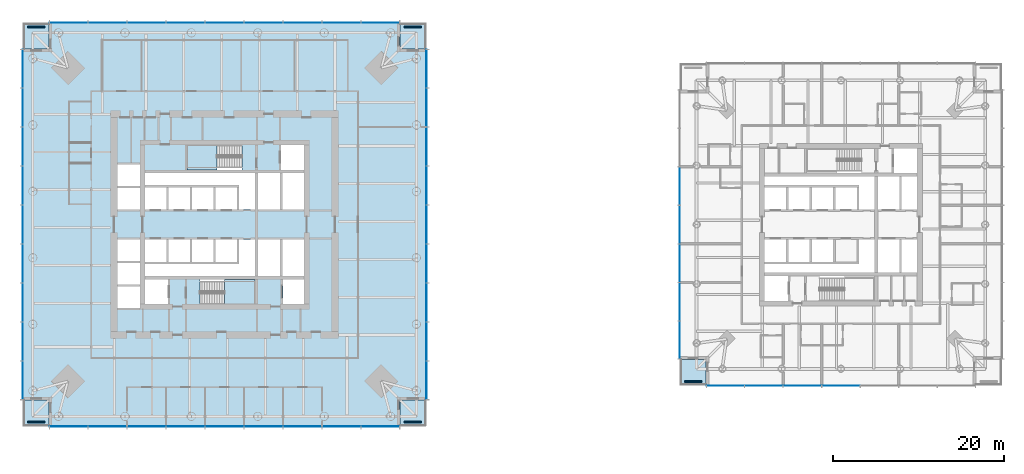
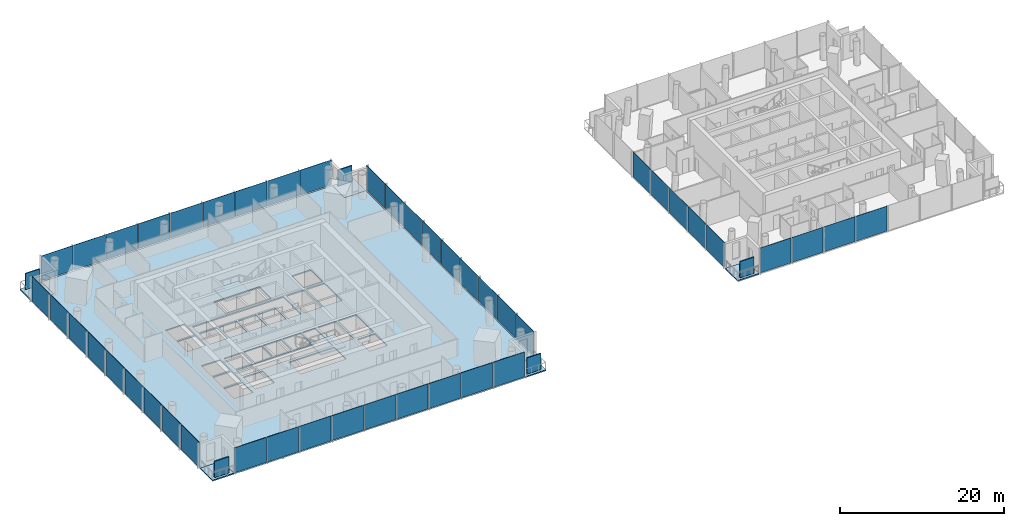
# One storey, part 6 of 18: 50 plates, 8 slabs, 8 elements without a shape of their own.
"""IFC4 building model written with IfcOpenShell, lengths in metres."""

from ifc_helpers import new_model, si_unit, direction, frame, origin, origin_2d, place, context, subcontext, project, spatial, polyline, rectangle, outline, extrude, material, layer, layer_set, type_object, element, aggregate, save


model = new_model("IFC4")

# Units and contexts
model_context = context("Model", 3, precision=1e-05, world=origin(), true_north=direction((0.0, 1.0)))
body_context = subcontext(model_context, "Body", "Model", "MODEL_VIEW")
ifc_project = project(units=[si_unit("LENGTHUNIT", "METRE"), si_unit("AREAUNIT", "SQUARE_METRE"), si_unit("VOLUMEUNIT", "CUBIC_METRE"), si_unit("PLANEANGLEUNIT", "RADIAN"), si_unit("MASSUNIT", "GRAM", prefix="KILO")], contexts=[model_context])

# Site, building, storey
site_placement = place(None, origin())
site = spatial("IfcSite", under=ifc_project, at=site_placement, CompositionType="ELEMENT")
building_placement = place(site_placement, origin())
building = spatial("IfcBuilding", under=site, at=building_placement, Name="Ostroluk Exchange", CompositionType="ELEMENT")
storey_placement = place(building_placement, frame((0.0, 0.0, 70.39990234375)))
storey = spatial("IfcBuildingStorey", under=building, at=storey_placement, Name="L17", CompositionType="ELEMENT", Elevation=70.39990234375)

# Curtain wall, plates
ifc_material_1 = material(Name="Laminated clear glass", Category="glass")
curtain_wall_type_1 = type_object("IfcCurtainWallType", Name="Hotel guest floor facade", PredefinedType="USERDEFINED", material=ifc_material_1)
curtain_wall_1_placement = place(storey_placement, origin())
curtain_wall_1 = element("IfcCurtainWall", 1, at=curtain_wall_1_placement, inside=storey, type_object=curtain_wall_type_1, Name="Hotel tower south facade L17", ObjectType="UNITISED CURTAIN WALL", PredefinedType="USERDEFINED")
ifc_material_2 = material(Name="Laminated clear glass", Category="glass")
ifc_layer_1 = layer(ifc_material_2, 0.0400390625)
ifc_layer_set_1 = layer_set([ifc_layer_1], Name="Acoustic laminated glazing 40")
plate_type_1 = type_object("IfcPlateType", Name="Acoustic laminated glazing 40", PredefinedType="CURTAIN_PANEL", material=ifc_layer_set_1)
plate_1_placement = place(storey_placement, frame((103.52001953125, 27.175048828125, 0.080078125), z_axis=(0.0, 0.0, 1.0), x_axis=(1.0, 0.0, 0.0)))
plate_1 = element("IfcPlate", 2, at=plate_1_placement, type_object=plate_type_1, Name="CW-H1 panel 1.1", PredefinedType="CURTAIN_PANEL", context=body_context, shape_type="SweptSolid", body=[
    extrude(rectangle(XDim=4.3798828125, YDim=0.0400390625, at=origin_2d()), origin(), (0.0, 0.0, 1.0), 3.719970703125),
])
plate_2_placement = place(storey_placement, frame((108.0, 27.175048828125, 0.080078125), z_axis=(0.0, 0.0, 1.0), x_axis=(1.0, 0.0, 0.0)))
plate_2 = element("IfcPlate", 3, at=plate_2_placement, type_object=plate_type_1, Name="CW-H1 panel 2.1", PredefinedType="CURTAIN_PANEL", context=body_context, shape_type="SweptSolid", body=[
    extrude(rectangle(XDim=4.419921875, YDim=0.0400390625, at=origin_2d()), origin(), (0.0, 0.0, 1.0), 3.719970703125),
])
plate_3_placement = place(storey_placement, frame((112.5, 27.175048828125, 0.080078125), z_axis=(0.0, 0.0, 1.0), x_axis=(1.0, 0.0, 0.0)))
plate_3 = element("IfcPlate", 4, at=plate_3_placement, type_object=plate_type_1, Name="CW-H1 panel 3.1", PredefinedType="CURTAIN_PANEL", context=body_context, shape_type="SweptSolid", body=[
    extrude(rectangle(XDim=4.419921875, YDim=0.0400390625, at=origin_2d()), origin(), (0.0, 0.0, 1.0), 3.719970703125),
])
plate_4_placement = place(storey_placement, frame((117.0, 27.175048828125, 0.080078125), z_axis=(0.0, 0.0, 1.0), x_axis=(1.0, 0.0, 0.0)))
plate_4 = element("IfcPlate", 5, at=plate_4_placement, type_object=plate_type_1, Name="CW-H1 panel 4.1", PredefinedType="CURTAIN_PANEL", context=body_context, shape_type="SweptSolid", body=[
    extrude(rectangle(XDim=4.419921875, YDim=0.0400390625, at=origin_2d()), origin(), (0.0, 0.0, 1.0), 3.719970703125),
])
aggregate(curtain_wall_1, [plate_1, plate_2, plate_3, plate_4])

curtain_wall_2_placement = place(storey_placement, origin())
curtain_wall_2 = element("IfcCurtainWall", 6, at=curtain_wall_2_placement, inside=storey, type_object=curtain_wall_type_1, Name="Hotel tower west facade L17", ObjectType="UNITISED CURTAIN WALL", PredefinedType="USERDEFINED")
plate_5_placement = place(storey_placement, frame((98.175048828125, 50.5, 0.080078125), z_axis=(0.0, 0.0, 1.0), x_axis=(0.0, -1.0, 0.0)))
plate_5 = element("IfcPlate", 7, at=plate_5_placement, type_object=plate_type_1, Name="CW-H1 panel 3.1", PredefinedType="CURTAIN_PANEL", context=body_context, shape_type="SweptSolid", body=[
    extrude(rectangle(XDim=4.419921875, YDim=0.0400390625, at=origin_2d()), origin(), (0.0, 0.0, 1.0), 3.719970703125),
])
plate_6_placement = place(storey_placement, frame((98.175048828125, 46.0, 0.080078125), z_axis=(0.0, 0.0, 1.0), x_axis=(0.0, -1.0, 0.0)))
plate_6 = element("IfcPlate", 8, at=plate_6_placement, type_object=plate_type_1, Name="CW-H1 panel 4.1", PredefinedType="CURTAIN_PANEL", context=body_context, shape_type="SweptSolid", body=[
    extrude(rectangle(XDim=4.419921875, YDim=0.0400390625, at=origin_2d()), origin(), (0.0, 0.0, 1.0), 3.719970703125),
])
plate_7_placement = place(storey_placement, frame((98.175048828125, 41.5, 0.080078125), z_axis=(0.0, 0.0, 1.0), x_axis=(0.0, -1.0, 0.0)))
plate_7 = element("IfcPlate", 9, at=plate_7_placement, type_object=plate_type_1, Name="CW-H1 panel 5.1", PredefinedType="CURTAIN_PANEL", context=body_context, shape_type="SweptSolid", body=[
    extrude(rectangle(XDim=4.419921875, YDim=0.0400390625, at=origin_2d()), origin(), (0.0, 0.0, 1.0), 3.719970703125),
])
plate_8_placement = place(storey_placement, frame((98.175048828125, 37.0, 0.080078125), z_axis=(0.0, 0.0, 1.0), x_axis=(0.0, -1.0, 0.0)))
plate_8 = element("IfcPlate", 10, at=plate_8_placement, type_object=plate_type_1, Name="CW-H1 panel 6.1", PredefinedType="CURTAIN_PANEL", context=body_context, shape_type="SweptSolid", body=[
    extrude(rectangle(XDim=4.419921875, YDim=0.0400390625, at=origin_2d()), origin(), (0.0, 0.0, 1.0), 3.719970703125),
])
plate_9_placement = place(storey_placement, frame((98.175048828125, 32.52001953125, 0.080078125), z_axis=(0.0, 0.0, 1.0), x_axis=(0.0, -1.0, 0.0)))
plate_9 = element("IfcPlate", 11, at=plate_9_placement, type_object=plate_type_1, Name="CW-H1 panel 7.1", PredefinedType="CURTAIN_PANEL", context=body_context, shape_type="SweptSolid", body=[
    extrude(rectangle(XDim=4.3798828125, YDim=0.0400390625, at=origin_2d()), origin(), (0.0, 0.0, 1.0), 3.719970703125),
])
aggregate(curtain_wall_2, [plate_5, plate_6, plate_7, plate_8, plate_9])

# Slabs
ifc_material_3 = material(Name="Concrete C35/45", Category="concrete")
ifc_layer_2 = layer(ifc_material_3, 0.179931640625)
ifc_layer_set_2 = layer_set([ifc_layer_2], Name="Balcony slab 180")
slab_type_1 = type_object("IfcSlabType", Name="Balcony slab 180", PredefinedType="USERDEFINED", material=ifc_layer_set_2)
slab_1_placement = place(storey_placement, frame((0.0, 0.0, -0.179931640625)))
element("IfcSlab", 12, at=slab_1_placement, inside=storey, type_object=slab_type_1, Name="Office tower SE corner balcony L17", ObjectType="BALCONY", PredefinedType="USERDEFINED", context=body_context, shape_type="SweptSolid", body=[
    extrude(outline(polyline([(65.5, 22.5), (68.5, 22.5), (68.5, 25.5), (65.5, 25.5), (65.5, 22.5)])), origin(), (0.0, 0.0, 1.0), 0.179931640625),
])
slab_2_placement = place(storey_placement, frame((0.0, 0.0, -0.179931640625)))
element("IfcSlab", 13, at=slab_2_placement, inside=storey, type_object=slab_type_1, Name="Office tower NE corner balcony L17", ObjectType="BALCONY", PredefinedType="USERDEFINED", context=body_context, shape_type="SweptSolid", body=[
    extrude(outline(polyline([(65.5, 66.5), (68.5, 66.5), (68.5, 69.5), (65.5, 69.5), (65.5, 66.5)])), origin(), (0.0, 0.0, 1.0), 0.179931640625),
])
slab_3_placement = place(storey_placement, frame((0.0, 0.0, -0.179931640625)))
element("IfcSlab", 14, at=slab_3_placement, inside=storey, type_object=slab_type_1, Name="Office tower NW corner balcony L17", ObjectType="BALCONY", PredefinedType="USERDEFINED", context=body_context, shape_type="SweptSolid", body=[
    extrude(outline(polyline([(21.5, 66.5), (24.5, 66.5), (24.5, 69.5), (21.5, 69.5), (21.5, 66.5)])), origin(), (0.0, 0.0, 1.0), 0.179931640625),
])
slab_4_placement = place(storey_placement, frame((0.0, 0.0, -0.179931640625)))
element("IfcSlab", 15, at=slab_4_placement, inside=storey, type_object=slab_type_1, Name="Office tower SW corner balcony L17", ObjectType="BALCONY", PredefinedType="USERDEFINED", context=body_context, shape_type="SweptSolid", body=[
    extrude(outline(polyline([(21.5, 22.5), (24.5, 22.5), (24.5, 25.5), (21.5, 25.5), (21.5, 22.5)])), origin(), (0.0, 0.0, 1.0), 0.179931640625),
])
ifc_material_4 = material(Name="Concrete C35/45", Category="concrete")
ifc_layer_3 = layer(ifc_material_4, 0.199951171875)
ifc_layer_set_3 = layer_set([ifc_layer_3], Name="Balcony slab 200")
slab_type_2 = type_object("IfcSlabType", Name="Balcony slab 200", PredefinedType="USERDEFINED", material=ifc_layer_set_3)
slab_5_placement = place(storey_placement, frame((0.0, 0.0, -0.199951171875)))
element("IfcSlab", 16, at=slab_5_placement, inside=storey, type_object=slab_type_2, Name="Hotel tower SW corner balcony L17", ObjectType="BALCONY", PredefinedType="USERDEFINED", context=body_context, shape_type="SweptSolid", body=[
    extrude(outline(polyline([(98.25, 27.25), (101.25, 27.25), (101.25, 30.25), (98.25, 30.25), (98.25, 27.25)])), origin(), (0.0, 0.0, 1.0), 0.199951171875),
])

# Plates
ifc_material_5 = material(Name="Steel S355 trellis with planting", Category="steel")
ifc_layer_4 = layer(ifc_material_5, 0.14990234375)
ifc_layer_set_4 = layer_set([ifc_layer_4], Name="Planted screen 150")
plate_type_2 = type_object("IfcPlateType", Name="Planted screen 150", PredefinedType="USERDEFINED", material=ifc_layer_set_4)
for number, where, z_axis, x_axis, name in (
    (17, (67.0, 22.925048828125, 0.000244140625), (0.0, 0.0, 1.0), (1.0, 0.0, 0.0), "Office tower SE planted screen L17"),
    (18, (67.0, 69.074951171875, 0.000244140625), (0.0, 0.0, 1.0), (1.0, 0.0, 0.0), "Office tower NE planted screen L17"),
    (19, (23.0, 69.074951171875, 0.000244140625), (0.0, 0.0, 1.0), (1.0, 0.0, 0.0), "Office tower NW planted screen L17"),
    (20, (23.0, 22.925048828125, 0.000244140625), (0.0, 0.0, 1.0), (1.0, 0.0, 0.0), "Office tower SW planted screen L17"),
    (21, (99.75, 27.675048828125, 0.000244140625), (0.0, 0.0, 1.0), (1.0, 0.0, 0.0), "Hotel tower SW planted screen L17"),
):
    element("IfcPlate", number, at=place(storey_placement, frame(where, z_axis=z_axis, x_axis=x_axis)), inside=storey, type_object=plate_type_2, Name=name, ObjectType="PLANTED SCREEN", PredefinedType="USERDEFINED", context=body_context, shape_type="SweptSolid", body=[
        extrude(rectangle(XDim=2.0, YDim=0.14990234375, at=origin_2d()), origin(), (0.0, 0.0, 1.0), 2.39990234375),
    ])

# Stair, slab
ifc_material_6 = material(Name="Concrete C30/37", Category="concrete")
stair_type = type_object("IfcStairType", Name="Exit stair half turn 3800", PredefinedType="HALF_TURN_STAIR", material=ifc_material_6)
stair_1_placement = place(storey_placement, origin())
stair_1 = element("IfcStair", 22, at=stair_1_placement, inside=storey, type_object=stair_type, Name="Stair T1-S1 L17", PredefinedType="HALF_TURN_STAIR")
ifc_material_7 = material(Name="Concrete C30/37", Category="concrete")
ifc_layer_5 = layer(ifc_material_7, 0.199951171875)
ifc_layer_set_5 = layer_set([ifc_layer_5], Name="Stair landing 200")
slab_type_3 = type_object("IfcSlabType", Name="Stair landing 200", PredefinedType="LANDING", material=ifc_layer_set_5)
slab_6_placement = place(storey_placement, frame((0.0, 0.0, 1.7001953125)))
slab_6 = element("IfcSlab", 23, at=slab_6_placement, type_object=slab_type_3, Name="T1-S1 landing 1", PredefinedType="LANDING", context=body_context, shape_type="SweptSolid", body=[
    extrude(outline(polyline([(45.0, 36.699951171875), (45.0, 39.60009765625), (48.530029296875, 39.60009765625), (48.530029296875, 36.699951171875), (45.0, 36.699951171875)])), origin(), (0.0, 0.0, 1.0), 0.199951171875),
])
aggregate(stair_1, [slab_6])

stair_2_placement = place(storey_placement, origin())
stair_2 = element("IfcStair", 24, at=stair_2_placement, inside=storey, type_object=stair_type, Name="Stair T1-S2 L17", PredefinedType="HALF_TURN_STAIR")
slab_7_placement = place(storey_placement, frame((0.0, 0.0, 1.7001953125)))
slab_7 = element("IfcSlab", 25, at=slab_7_placement, type_object=slab_type_3, Name="T1-S2 landing 1", PredefinedType="LANDING", context=body_context, shape_type="SweptSolid", body=[
    extrude(outline(polyline([(44.1298828125, 52.39990234375), (44.1298828125, 55.300048828125), (40.60009765625, 55.300048828125), (40.60009765625, 52.39990234375), (44.1298828125, 52.39990234375)])), origin(), (0.0, 0.0, 1.0), 0.199951171875),
])
aggregate(stair_2, [slab_7])

# Slab
ifc_material_8 = material(Name="Concrete C35/45", Category="concrete")
ifc_layer_6 = layer(ifc_material_8, 0.179931640625)
ifc_layer_set_6 = layer_set([ifc_layer_6], Name="Tower floor slab 180 composite")
slab_type_4 = type_object("IfcSlabType", Name="Tower floor slab 180 composite", PredefinedType="FLOOR", material=ifc_layer_set_6)
slab_8_placement = place(storey_placement, frame((0.0, 0.0, -0.179931640625)))
element("IfcSlab", 26, at=slab_8_placement, inside=storey, type_object=slab_type_4, Name="Office tower floor slab L17", PredefinedType="FLOOR", context=body_context, shape_type="SweptSolid", body=[
    extrude(outline(polyline([(24.5, 22.5), (65.5, 22.5), (65.5, 25.5), (68.5, 25.5), (68.5, 66.5), (65.5, 66.5), (65.5, 69.5), (24.5, 69.5), (24.5, 66.5), (21.5, 66.5), (21.5, 25.5), (24.5, 25.5), (24.5, 22.5)]), holes=[polyline([(35.699951171875, 36.699951171875), (38.39990234375, 36.699951171875), (38.39990234375, 39.60009765625), (35.699951171875, 39.60009765625), (35.699951171875, 36.699951171875)]), polyline([(42.110107421875, 36.699951171875), (48.530029296875, 36.699951171875), (48.530029296875, 39.60009765625), (42.110107421875, 39.60009765625), (42.110107421875, 36.699951171875)]), polyline([(51.800048828125, 36.699951171875), (54.300048828125, 36.699951171875), (54.300048828125, 39.60009765625), (51.800048828125, 39.60009765625), (51.800048828125, 36.699951171875)]), polyline([(40.60009765625, 52.39990234375), (47.02001953125, 52.39990234375), (47.02001953125, 55.300048828125), (40.60009765625, 55.300048828125), (40.60009765625, 52.39990234375)]), polyline([(51.60009765625, 52.39990234375), (54.300048828125, 52.39990234375), (54.300048828125, 55.300048828125), (51.60009765625, 55.300048828125), (51.60009765625, 52.39990234375)]), polyline([(35.699951171875, 47.75), (38.199951171875, 47.75), (38.199951171875, 50.35009765625), (35.699951171875, 50.35009765625), (35.699951171875, 47.75)]), polyline([(38.449951171875, 47.75), (40.949951171875, 47.75), (40.949951171875, 50.35009765625), (38.449951171875, 50.35009765625), (38.449951171875, 47.75)]), polyline([(41.199951171875, 47.75), (43.699951171875, 47.75), (43.699951171875, 50.35009765625), (41.199951171875, 50.35009765625), (41.199951171875, 47.75)]), polyline([(43.949951171875, 47.75), (46.449951171875, 47.75), (46.449951171875, 50.35009765625), (43.949951171875, 50.35009765625), (43.949951171875, 47.75)]), polyline([(35.699951171875, 41.64990234375), (38.199951171875, 41.64990234375), (38.199951171875, 44.25), (35.699951171875, 44.25), (35.699951171875, 41.64990234375)]), polyline([(38.449951171875, 41.64990234375), (40.949951171875, 41.64990234375), (40.949951171875, 44.25), (38.449951171875, 44.25), (38.449951171875, 41.64990234375)]), polyline([(41.199951171875, 41.64990234375), (43.699951171875, 41.64990234375), (43.699951171875, 44.25), (41.199951171875, 44.25), (41.199951171875, 41.64990234375)]), polyline([(43.949951171875, 41.64990234375), (46.449951171875, 41.64990234375), (46.449951171875, 44.25), (43.949951171875, 44.25), (43.949951171875, 41.64990234375)]), polyline([(48.929931640625, 47.75), (51.489990234375, 47.75), (51.489990234375, 52.0), (48.929931640625, 52.0), (48.929931640625, 47.75)]), polyline([(51.739990234375, 47.75), (54.300048828125, 47.75), (54.300048828125, 52.0), (51.739990234375, 52.0), (51.739990234375, 47.75)]), polyline([(48.929931640625, 40.0), (51.489990234375, 40.0), (51.489990234375, 44.25), (48.929931640625, 44.25), (48.929931640625, 40.0)]), polyline([(51.739990234375, 40.0), (54.300048828125, 40.0), (54.300048828125, 44.25), (51.739990234375, 44.25), (51.739990234375, 40.0)]), polyline([(48.530029296875, 52.0), (48.530029296875, 47.75), (46.699951171875, 47.75), (46.699951171875, 50.60009765625), (35.699951171875, 50.60009765625), (35.699951171875, 52.0), (48.530029296875, 52.0)]), polyline([(35.699951171875, 40.0), (35.699951171875, 41.39990234375), (46.699951171875, 41.39990234375), (46.699951171875, 44.25), (48.530029296875, 44.25), (48.530029296875, 40.0), (35.699951171875, 40.0)]), polyline([(32.5, 36.25), (35.10009765625, 36.25), (35.10009765625, 38.75), (32.5, 38.75), (32.5, 36.25)]), polyline([(32.5, 39.0), (35.10009765625, 39.0), (35.10009765625, 41.5), (32.5, 41.5), (32.5, 39.0)]), polyline([(32.5, 41.75), (35.10009765625, 41.75), (35.10009765625, 44.25), (32.5, 44.25), (32.5, 41.75)]), polyline([(32.5, 47.75), (35.10009765625, 47.75), (35.10009765625, 50.25), (32.5, 50.25), (32.5, 47.75)]), polyline([(32.5, 50.5), (35.10009765625, 50.5), (35.10009765625, 53.0), (32.5, 53.0), (32.5, 50.5)])]), origin(), (0.0, 0.0, 1.0), 0.179931640625),
])

# Curtain wall, plates
ifc_material_9 = material(Name="Laminated clear glass", Category="glass")
curtain_wall_type_2 = type_object("IfcCurtainWallType", Name="Office tower facade", PredefinedType="USERDEFINED", material=ifc_material_9)
curtain_wall_3_placement = place(storey_placement, origin())
curtain_wall_3 = element("IfcCurtainWall", 27, at=curtain_wall_3_placement, inside=storey, type_object=curtain_wall_type_2, Name="Office tower south facade L17", ObjectType="UNITISED CURTAIN WALL", PredefinedType="USERDEFINED")
ifc_material_10 = material(Name="Laminated clear glass", Category="glass")
ifc_layer_7 = layer(ifc_material_10, 0.0439453125)
ifc_layer_set_7 = layer_set([ifc_layer_7], Name="Triple laminated clear glazing 44")
plate_type_3 = type_object("IfcPlateType", Name="Triple laminated clear glazing 44", PredefinedType="CURTAIN_PANEL", material=ifc_layer_set_7)
plate_10_placement = place(storey_placement, frame((26.7978515625, 22.425048828125, 0.080078125), z_axis=(0.0, 0.0, 1.0), x_axis=(1.0, 0.0, 0.0)))
plate_10 = element("IfcPlate", 28, at=plate_10_placement, type_object=plate_type_3, Name="CW-O1 panel 1.1", PredefinedType="CURTAIN_PANEL", context=body_context, shape_type="SweptSolid", body=[
    extrude(rectangle(XDim=4.435546875, YDim=0.0439453125, at=origin_2d()), origin(), (0.0, 0.0, 1.0), 3.719970703125),
])
plate_11_placement = place(storey_placement, frame((31.333251953125, 22.425048828125, 0.080078125), z_axis=(0.0, 0.0, 1.0), x_axis=(1.0, 0.0, 0.0)))
plate_11 = element("IfcPlate", 29, at=plate_11_placement, type_object=plate_type_3, Name="CW-O1 panel 2.1", PredefinedType="CURTAIN_PANEL", context=body_context, shape_type="SweptSolid", body=[
    extrude(rectangle(XDim=4.4755859375, YDim=0.0439453125, at=origin_2d()), origin(), (0.0, 0.0, 1.0), 3.719970703125),
])
plate_12_placement = place(storey_placement, frame((35.888916015625, 22.425048828125, 0.080078125), z_axis=(0.0, 0.0, 1.0), x_axis=(1.0, 0.0, 0.0)))
plate_12 = element("IfcPlate", 30, at=plate_12_placement, type_object=plate_type_3, Name="CW-O1 panel 3.1", PredefinedType="CURTAIN_PANEL", context=body_context, shape_type="SweptSolid", body=[
    extrude(rectangle(XDim=4.4755859375, YDim=0.0439453125, at=origin_2d()), origin(), (0.0, 0.0, 1.0), 3.719970703125),
])
plate_13_placement = place(storey_placement, frame((40.4443359375, 22.425048828125, 0.080078125), z_axis=(0.0, 0.0, 1.0), x_axis=(1.0, 0.0, 0.0)))
plate_13 = element("IfcPlate", 31, at=plate_13_placement, type_object=plate_type_3, Name="CW-O1 panel 4.1", PredefinedType="CURTAIN_PANEL", context=body_context, shape_type="SweptSolid", body=[
    extrude(rectangle(XDim=4.4755859375, YDim=0.0439453125, at=origin_2d()), origin(), (0.0, 0.0, 1.0), 3.719970703125),
])
plate_14_placement = place(storey_placement, frame((45.0, 22.425048828125, 0.080078125), z_axis=(0.0, 0.0, 1.0), x_axis=(1.0, 0.0, 0.0)))
plate_14 = element("IfcPlate", 32, at=plate_14_placement, type_object=plate_type_3, Name="CW-O1 panel 5.1", PredefinedType="CURTAIN_PANEL", context=body_context, shape_type="SweptSolid", body=[
    extrude(rectangle(XDim=4.4755859375, YDim=0.0439453125, at=origin_2d()), origin(), (0.0, 0.0, 1.0), 3.719970703125),
])
plate_15_placement = place(storey_placement, frame((49.5556640625, 22.425048828125, 0.080078125), z_axis=(0.0, 0.0, 1.0), x_axis=(1.0, 0.0, 0.0)))
plate_15 = element("IfcPlate", 33, at=plate_15_placement, type_object=plate_type_3, Name="CW-O1 panel 6.1", PredefinedType="CURTAIN_PANEL", context=body_context, shape_type="SweptSolid", body=[
    extrude(rectangle(XDim=4.4755859375, YDim=0.0439453125, at=origin_2d()), origin(), (0.0, 0.0, 1.0), 3.719970703125),
])
plate_16_placement = place(storey_placement, frame((54.111083984375, 22.425048828125, 0.080078125), z_axis=(0.0, 0.0, 1.0), x_axis=(1.0, 0.0, 0.0)))
plate_16 = element("IfcPlate", 34, at=plate_16_placement, type_object=plate_type_3, Name="CW-O1 panel 7.1", PredefinedType="CURTAIN_PANEL", context=body_context, shape_type="SweptSolid", body=[
    extrude(rectangle(XDim=4.4755859375, YDim=0.0439453125, at=origin_2d()), origin(), (0.0, 0.0, 1.0), 3.719970703125),
])
plate_17_placement = place(storey_placement, frame((58.666748046875, 22.425048828125, 0.080078125), z_axis=(0.0, 0.0, 1.0), x_axis=(1.0, 0.0, 0.0)))
plate_17 = element("IfcPlate", 35, at=plate_17_placement, type_object=plate_type_3, Name="CW-O1 panel 8.1", PredefinedType="CURTAIN_PANEL", context=body_context, shape_type="SweptSolid", body=[
    extrude(rectangle(XDim=4.4755859375, YDim=0.0439453125, at=origin_2d()), origin(), (0.0, 0.0, 1.0), 3.719970703125),
])
plate_18_placement = place(storey_placement, frame((63.2021484375, 22.425048828125, 0.080078125), z_axis=(0.0, 0.0, 1.0), x_axis=(1.0, 0.0, 0.0)))
plate_18 = element("IfcPlate", 36, at=plate_18_placement, type_object=plate_type_3, Name="CW-O1 panel 9.1", PredefinedType="CURTAIN_PANEL", context=body_context, shape_type="SweptSolid", body=[
    extrude(rectangle(XDim=4.435546875, YDim=0.0439453125, at=origin_2d()), origin(), (0.0, 0.0, 1.0), 3.719970703125),
])
aggregate(curtain_wall_3, [plate_10, plate_11, plate_12, plate_13, plate_14, plate_15, plate_16, plate_17, plate_18])

curtain_wall_4_placement = place(storey_placement, origin())
curtain_wall_4 = element("IfcCurtainWall", 37, at=curtain_wall_4_placement, inside=storey, type_object=curtain_wall_type_2, Name="Office tower east facade L17", ObjectType="UNITISED CURTAIN WALL", PredefinedType="USERDEFINED")
plate_19_placement = place(storey_placement, frame((68.574951171875, 27.7978515625, 0.080078125), z_axis=(0.0, 0.0, 1.0), x_axis=(0.0, 1.0, 0.0)))
plate_19 = element("IfcPlate", 38, at=plate_19_placement, type_object=plate_type_3, Name="CW-O1 panel 1.1", PredefinedType="CURTAIN_PANEL", context=body_context, shape_type="SweptSolid", body=[
    extrude(rectangle(XDim=4.435546875, YDim=0.0439453125, at=origin_2d()), origin(), (0.0, 0.0, 1.0), 3.719970703125),
])
plate_20_placement = place(storey_placement, frame((68.574951171875, 32.333251953125, 0.080078125), z_axis=(0.0, 0.0, 1.0), x_axis=(0.0, 1.0, 0.0)))
plate_20 = element("IfcPlate", 39, at=plate_20_placement, type_object=plate_type_3, Name="CW-O1 panel 2.1", PredefinedType="CURTAIN_PANEL", context=body_context, shape_type="SweptSolid", body=[
    extrude(rectangle(XDim=4.4755859375, YDim=0.0439453125, at=origin_2d()), origin(), (0.0, 0.0, 1.0), 3.719970703125),
])
plate_21_placement = place(storey_placement, frame((68.574951171875, 36.888916015625, 0.080078125), z_axis=(0.0, 0.0, 1.0), x_axis=(0.0, 1.0, 0.0)))
plate_21 = element("IfcPlate", 40, at=plate_21_placement, type_object=plate_type_3, Name="CW-O1 panel 3.1", PredefinedType="CURTAIN_PANEL", context=body_context, shape_type="SweptSolid", body=[
    extrude(rectangle(XDim=4.4755859375, YDim=0.0439453125, at=origin_2d()), origin(), (0.0, 0.0, 1.0), 3.719970703125),
])
plate_22_placement = place(storey_placement, frame((68.574951171875, 41.4443359375, 0.080078125), z_axis=(0.0, 0.0, 1.0), x_axis=(0.0, 1.0, 0.0)))
plate_22 = element("IfcPlate", 41, at=plate_22_placement, type_object=plate_type_3, Name="CW-O1 panel 4.1", PredefinedType="CURTAIN_PANEL", context=body_context, shape_type="SweptSolid", body=[
    extrude(rectangle(XDim=4.4755859375, YDim=0.0439453125, at=origin_2d()), origin(), (0.0, 0.0, 1.0), 3.719970703125),
])
plate_23_placement = place(storey_placement, frame((68.574951171875, 46.0, 0.080078125), z_axis=(0.0, 0.0, 1.0), x_axis=(0.0, 1.0, 0.0)))
plate_23 = element("IfcPlate", 42, at=plate_23_placement, type_object=plate_type_3, Name="CW-O1 panel 5.1", PredefinedType="CURTAIN_PANEL", context=body_context, shape_type="SweptSolid", body=[
    extrude(rectangle(XDim=4.4755859375, YDim=0.0439453125, at=origin_2d()), origin(), (0.0, 0.0, 1.0), 3.719970703125),
])
plate_24_placement = place(storey_placement, frame((68.574951171875, 50.5556640625, 0.080078125), z_axis=(0.0, 0.0, 1.0), x_axis=(0.0, 1.0, 0.0)))
plate_24 = element("IfcPlate", 43, at=plate_24_placement, type_object=plate_type_3, Name="CW-O1 panel 6.1", PredefinedType="CURTAIN_PANEL", context=body_context, shape_type="SweptSolid", body=[
    extrude(rectangle(XDim=4.4755859375, YDim=0.0439453125, at=origin_2d()), origin(), (0.0, 0.0, 1.0), 3.719970703125),
])
plate_25_placement = place(storey_placement, frame((68.574951171875, 55.111083984375, 0.080078125), z_axis=(0.0, 0.0, 1.0), x_axis=(0.0, 1.0, 0.0)))
plate_25 = element("IfcPlate", 44, at=plate_25_placement, type_object=plate_type_3, Name="CW-O1 panel 7.1", PredefinedType="CURTAIN_PANEL", context=body_context, shape_type="SweptSolid", body=[
    extrude(rectangle(XDim=4.4755859375, YDim=0.0439453125, at=origin_2d()), origin(), (0.0, 0.0, 1.0), 3.719970703125),
])
plate_26_placement = place(storey_placement, frame((68.574951171875, 59.666748046875, 0.080078125), z_axis=(0.0, 0.0, 1.0), x_axis=(0.0, 1.0, 0.0)))
plate_26 = element("IfcPlate", 45, at=plate_26_placement, type_object=plate_type_3, Name="CW-O1 panel 8.1", PredefinedType="CURTAIN_PANEL", context=body_context, shape_type="SweptSolid", body=[
    extrude(rectangle(XDim=4.4755859375, YDim=0.0439453125, at=origin_2d()), origin(), (0.0, 0.0, 1.0), 3.719970703125),
])
plate_27_placement = place(storey_placement, frame((68.574951171875, 64.2021484375, 0.080078125), z_axis=(0.0, 0.0, 1.0), x_axis=(0.0, 1.0, 0.0)))
plate_27 = element("IfcPlate", 46, at=plate_27_placement, type_object=plate_type_3, Name="CW-O1 panel 9.1", PredefinedType="CURTAIN_PANEL", context=body_context, shape_type="SweptSolid", body=[
    extrude(rectangle(XDim=4.435546875, YDim=0.0439453125, at=origin_2d()), origin(), (0.0, 0.0, 1.0), 3.719970703125),
])
aggregate(curtain_wall_4, [plate_19, plate_20, plate_21, plate_22, plate_23, plate_24, plate_25, plate_26, plate_27])

curtain_wall_5_placement = place(storey_placement, origin())
curtain_wall_5 = element("IfcCurtainWall", 47, at=curtain_wall_5_placement, inside=storey, type_object=curtain_wall_type_2, Name="Office tower north facade L17", ObjectType="UNITISED CURTAIN WALL", PredefinedType="USERDEFINED")
plate_28_placement = place(storey_placement, frame((63.2021484375, 69.574951171875, 0.080078125), z_axis=(0.0, 0.0, 1.0), x_axis=(-1.0, 0.0, 0.0)))
plate_28 = element("IfcPlate", 48, at=plate_28_placement, type_object=plate_type_3, Name="CW-O1 panel 1.1", PredefinedType="CURTAIN_PANEL", context=body_context, shape_type="SweptSolid", body=[
    extrude(rectangle(XDim=4.435546875, YDim=0.0439453125, at=origin_2d()), origin(), (0.0, 0.0, 1.0), 3.719970703125),
])
plate_29_placement = place(storey_placement, frame((58.666748046875, 69.574951171875, 0.080078125), z_axis=(0.0, 0.0, 1.0), x_axis=(-1.0, 0.0, 0.0)))
plate_29 = element("IfcPlate", 49, at=plate_29_placement, type_object=plate_type_3, Name="CW-O1 panel 2.1", PredefinedType="CURTAIN_PANEL", context=body_context, shape_type="SweptSolid", body=[
    extrude(rectangle(XDim=4.4755859375, YDim=0.0439453125, at=origin_2d()), origin(), (0.0, 0.0, 1.0), 3.719970703125),
])
plate_30_placement = place(storey_placement, frame((54.111083984375, 69.574951171875, 0.080078125), z_axis=(0.0, 0.0, 1.0), x_axis=(-1.0, 0.0, 0.0)))
plate_30 = element("IfcPlate", 50, at=plate_30_placement, type_object=plate_type_3, Name="CW-O1 panel 3.1", PredefinedType="CURTAIN_PANEL", context=body_context, shape_type="SweptSolid", body=[
    extrude(rectangle(XDim=4.4755859375, YDim=0.0439453125, at=origin_2d()), origin(), (0.0, 0.0, 1.0), 3.719970703125),
])
plate_31_placement = place(storey_placement, frame((49.5556640625, 69.574951171875, 0.080078125), z_axis=(0.0, 0.0, 1.0), x_axis=(-1.0, 0.0, 0.0)))
plate_31 = element("IfcPlate", 51, at=plate_31_placement, type_object=plate_type_3, Name="CW-O1 panel 4.1", PredefinedType="CURTAIN_PANEL", context=body_context, shape_type="SweptSolid", body=[
    extrude(rectangle(XDim=4.4755859375, YDim=0.0439453125, at=origin_2d()), origin(), (0.0, 0.0, 1.0), 3.719970703125),
])
plate_32_placement = place(storey_placement, frame((45.0, 69.574951171875, 0.080078125), z_axis=(0.0, 0.0, 1.0), x_axis=(-1.0, 0.0, 0.0)))
plate_32 = element("IfcPlate", 52, at=plate_32_placement, type_object=plate_type_3, Name="CW-O1 panel 5.1", PredefinedType="CURTAIN_PANEL", context=body_context, shape_type="SweptSolid", body=[
    extrude(rectangle(XDim=4.4755859375, YDim=0.0439453125, at=origin_2d()), origin(), (0.0, 0.0, 1.0), 3.719970703125),
])
plate_33_placement = place(storey_placement, frame((40.4443359375, 69.574951171875, 0.080078125), z_axis=(0.0, 0.0, 1.0), x_axis=(-1.0, 0.0, 0.0)))
plate_33 = element("IfcPlate", 53, at=plate_33_placement, type_object=plate_type_3, Name="CW-O1 panel 6.1", PredefinedType="CURTAIN_PANEL", context=body_context, shape_type="SweptSolid", body=[
    extrude(rectangle(XDim=4.4755859375, YDim=0.0439453125, at=origin_2d()), origin(), (0.0, 0.0, 1.0), 3.719970703125),
])
plate_34_placement = place(storey_placement, frame((35.888916015625, 69.574951171875, 0.080078125), z_axis=(0.0, 0.0, 1.0), x_axis=(-1.0, 0.0, 0.0)))
plate_34 = element("IfcPlate", 54, at=plate_34_placement, type_object=plate_type_3, Name="CW-O1 panel 7.1", PredefinedType="CURTAIN_PANEL", context=body_context, shape_type="SweptSolid", body=[
    extrude(rectangle(XDim=4.4755859375, YDim=0.0439453125, at=origin_2d()), origin(), (0.0, 0.0, 1.0), 3.719970703125),
])
plate_35_placement = place(storey_placement, frame((31.333251953125, 69.574951171875, 0.080078125), z_axis=(0.0, 0.0, 1.0), x_axis=(-1.0, 0.0, 0.0)))
plate_35 = element("IfcPlate", 55, at=plate_35_placement, type_object=plate_type_3, Name="CW-O1 panel 8.1", PredefinedType="CURTAIN_PANEL", context=body_context, shape_type="SweptSolid", body=[
    extrude(rectangle(XDim=4.4755859375, YDim=0.0439453125, at=origin_2d()), origin(), (0.0, 0.0, 1.0), 3.719970703125),
])
plate_36_placement = place(storey_placement, frame((26.7978515625, 69.574951171875, 0.080078125), z_axis=(0.0, 0.0, 1.0), x_axis=(-1.0, 0.0, 0.0)))
plate_36 = element("IfcPlate", 56, at=plate_36_placement, type_object=plate_type_3, Name="CW-O1 panel 9.1", PredefinedType="CURTAIN_PANEL", context=body_context, shape_type="SweptSolid", body=[
    extrude(rectangle(XDim=4.435546875, YDim=0.0439453125, at=origin_2d()), origin(), (0.0, 0.0, 1.0), 3.719970703125),
])
aggregate(curtain_wall_5, [plate_28, plate_29, plate_30, plate_31, plate_32, plate_33, plate_34, plate_35, plate_36])

curtain_wall_6_placement = place(storey_placement, origin())
curtain_wall_6 = element("IfcCurtainWall", 57, at=curtain_wall_6_placement, inside=storey, type_object=curtain_wall_type_2, Name="Office tower west facade L17", ObjectType="UNITISED CURTAIN WALL", PredefinedType="USERDEFINED")
plate_37_placement = place(storey_placement, frame((21.425048828125, 64.2021484375, 0.080078125), z_axis=(0.0, 0.0, 1.0), x_axis=(0.0, -1.0, 0.0)))
plate_37 = element("IfcPlate", 58, at=plate_37_placement, type_object=plate_type_3, Name="CW-O1 panel 1.1", PredefinedType="CURTAIN_PANEL", context=body_context, shape_type="SweptSolid", body=[
    extrude(rectangle(XDim=4.435546875, YDim=0.0439453125, at=origin_2d()), origin(), (0.0, 0.0, 1.0), 3.719970703125),
])
plate_38_placement = place(storey_placement, frame((21.425048828125, 59.666748046875, 0.080078125), z_axis=(0.0, 0.0, 1.0), x_axis=(0.0, -1.0, 0.0)))
plate_38 = element("IfcPlate", 59, at=plate_38_placement, type_object=plate_type_3, Name="CW-O1 panel 2.1", PredefinedType="CURTAIN_PANEL", context=body_context, shape_type="SweptSolid", body=[
    extrude(rectangle(XDim=4.4755859375, YDim=0.0439453125, at=origin_2d()), origin(), (0.0, 0.0, 1.0), 3.719970703125),
])
plate_39_placement = place(storey_placement, frame((21.425048828125, 55.111083984375, 0.080078125), z_axis=(0.0, 0.0, 1.0), x_axis=(0.0, -1.0, 0.0)))
plate_39 = element("IfcPlate", 60, at=plate_39_placement, type_object=plate_type_3, Name="CW-O1 panel 3.1", PredefinedType="CURTAIN_PANEL", context=body_context, shape_type="SweptSolid", body=[
    extrude(rectangle(XDim=4.4755859375, YDim=0.0439453125, at=origin_2d()), origin(), (0.0, 0.0, 1.0), 3.719970703125),
])
plate_40_placement = place(storey_placement, frame((21.425048828125, 50.5556640625, 0.080078125), z_axis=(0.0, 0.0, 1.0), x_axis=(0.0, -1.0, 0.0)))
plate_40 = element("IfcPlate", 61, at=plate_40_placement, type_object=plate_type_3, Name="CW-O1 panel 4.1", PredefinedType="CURTAIN_PANEL", context=body_context, shape_type="SweptSolid", body=[
    extrude(rectangle(XDim=4.4755859375, YDim=0.0439453125, at=origin_2d()), origin(), (0.0, 0.0, 1.0), 3.719970703125),
])
plate_41_placement = place(storey_placement, frame((21.425048828125, 46.0, 0.080078125), z_axis=(0.0, 0.0, 1.0), x_axis=(0.0, -1.0, 0.0)))
plate_41 = element("IfcPlate", 62, at=plate_41_placement, type_object=plate_type_3, Name="CW-O1 panel 5.1", PredefinedType="CURTAIN_PANEL", context=body_context, shape_type="SweptSolid", body=[
    extrude(rectangle(XDim=4.4755859375, YDim=0.0439453125, at=origin_2d()), origin(), (0.0, 0.0, 1.0), 3.719970703125),
])
plate_42_placement = place(storey_placement, frame((21.425048828125, 41.4443359375, 0.080078125), z_axis=(0.0, 0.0, 1.0), x_axis=(0.0, -1.0, 0.0)))
plate_42 = element("IfcPlate", 63, at=plate_42_placement, type_object=plate_type_3, Name="CW-O1 panel 6.1", PredefinedType="CURTAIN_PANEL", context=body_context, shape_type="SweptSolid", body=[
    extrude(rectangle(XDim=4.4755859375, YDim=0.0439453125, at=origin_2d()), origin(), (0.0, 0.0, 1.0), 3.719970703125),
])
plate_43_placement = place(storey_placement, frame((21.425048828125, 36.888916015625, 0.080078125), z_axis=(0.0, 0.0, 1.0), x_axis=(0.0, -1.0, 0.0)))
plate_43 = element("IfcPlate", 64, at=plate_43_placement, type_object=plate_type_3, Name="CW-O1 panel 7.1", PredefinedType="CURTAIN_PANEL", context=body_context, shape_type="SweptSolid", body=[
    extrude(rectangle(XDim=4.4755859375, YDim=0.0439453125, at=origin_2d()), origin(), (0.0, 0.0, 1.0), 3.719970703125),
])
plate_44_placement = place(storey_placement, frame((21.425048828125, 32.333251953125, 0.080078125), z_axis=(0.0, 0.0, 1.0), x_axis=(0.0, -1.0, 0.0)))
plate_44 = element("IfcPlate", 65, at=plate_44_placement, type_object=plate_type_3, Name="CW-O1 panel 8.1", PredefinedType="CURTAIN_PANEL", context=body_context, shape_type="SweptSolid", body=[
    extrude(rectangle(XDim=4.4755859375, YDim=0.0439453125, at=origin_2d()), origin(), (0.0, 0.0, 1.0), 3.719970703125),
])
plate_45_placement = place(storey_placement, frame((21.425048828125, 27.7978515625, 0.080078125), z_axis=(0.0, 0.0, 1.0), x_axis=(0.0, -1.0, 0.0)))
plate_45 = element("IfcPlate", 66, at=plate_45_placement, type_object=plate_type_3, Name="CW-O1 panel 9.1", PredefinedType="CURTAIN_PANEL", context=body_context, shape_type="SweptSolid", body=[
    extrude(rectangle(XDim=4.435546875, YDim=0.0439453125, at=origin_2d()), origin(), (0.0, 0.0, 1.0), 3.719970703125),
])
aggregate(curtain_wall_6, [plate_37, plate_38, plate_39, plate_40, plate_41, plate_42, plate_43, plate_44, plate_45])

save(model, "model.ifc")
